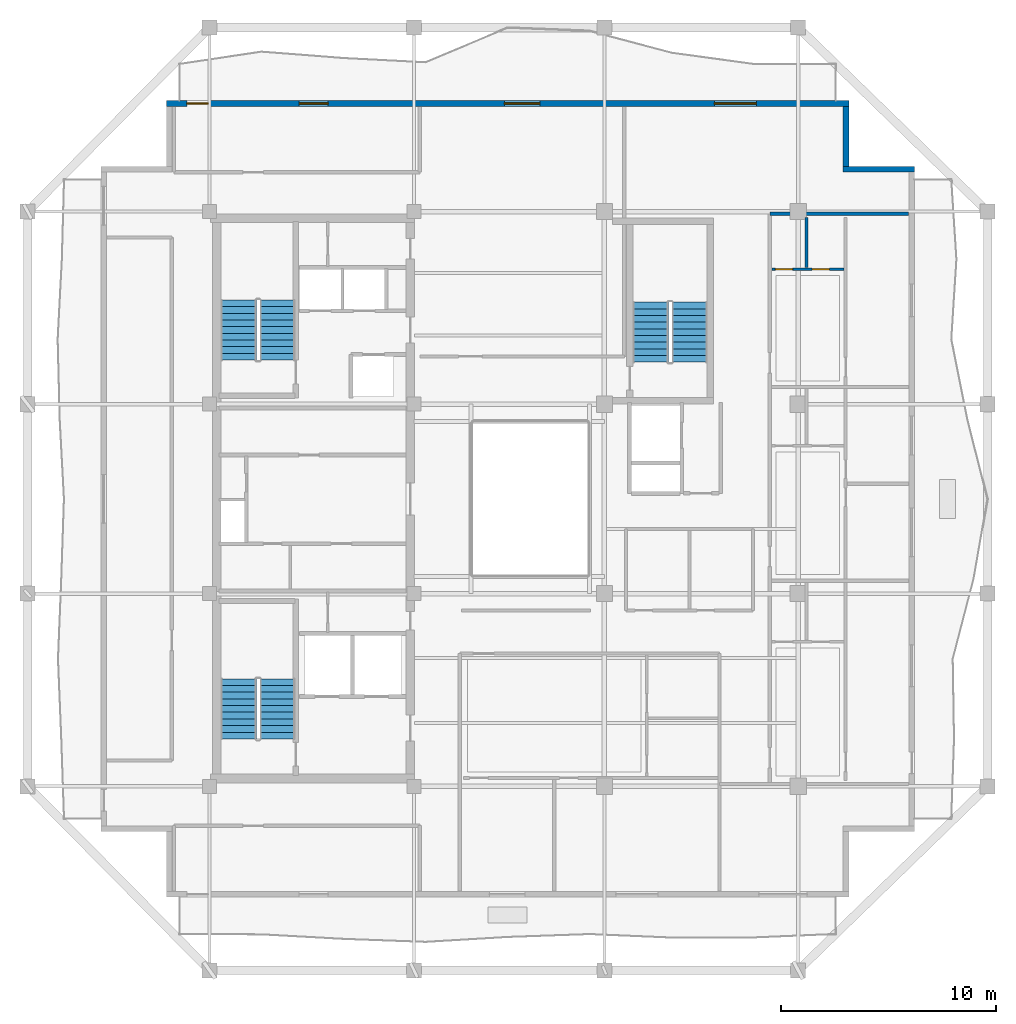
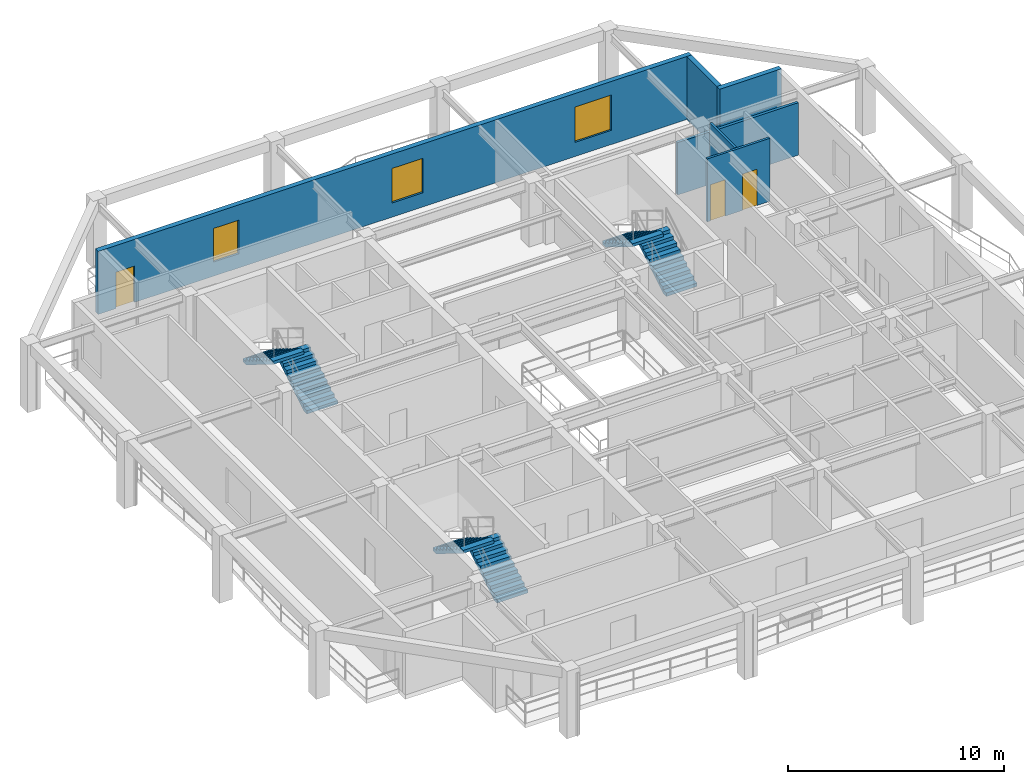
# One storey, part 6 of 10: 6 stair flights, 6 walls, 3 doors, 3 windows, 6 openings, 3 elements without a shape of their own.
"""IFC4 building model written with IfcOpenShell, lengths in metres."""

from ifc_helpers import new_model, si_unit, direction, frame, frame_2d, origin, place, context, subcontext, project, spatial, polyline, rectangle, outline, extrude, material, layer, layer_set, type_object, element, fill, aggregate, save


model = new_model("IFC4")

# Units and contexts
model_context = context("Model", 3, precision=1e-05, world=origin(), true_north=direction((0.0, 1.0)))
body_context = subcontext(model_context, "Body", "Model", "MODEL_VIEW")
ifc_project = project(units=[si_unit("LENGTHUNIT", "METRE"), si_unit("AREAUNIT", "SQUARE_METRE"), si_unit("VOLUMEUNIT", "CUBIC_METRE"), si_unit("PLANEANGLEUNIT", "RADIAN"), si_unit("MASSUNIT", "GRAM", prefix="KILO")], contexts=[model_context])

# Site, building, storey
site_placement = place(None, origin())
site = spatial("IfcSite", under=ifc_project, at=site_placement, CompositionType="ELEMENT")
building_placement = place(site_placement, origin())
building = spatial("IfcBuilding", under=site, at=building_placement, Name="Kundavana Baori Tower", CompositionType="ELEMENT")
storey_placement = place(building_placement, frame((0.0, 0.0, 312.5)))
storey = spatial("IfcBuildingStorey", under=building, at=storey_placement, Name="L77", CompositionType="ELEMENT", Elevation=312.5)

# Walls
ifc_material_1 = material(Name="Kiln-Fired Terracotta Brick-Slip Masonry on Concrete C40/50", Category="masonry")
ifc_layer_1 = layer(ifc_material_1, 0.260009765625, Name="WL-EXT-BRK-260")
ifc_layer_set_1 = layer_set([ifc_layer_1], Name="Kiln-Fired Terracotta Brick-Slip Masonry on Concrete C40/50")
wall_type_1 = type_object("IfcWallType", Name="WL-EXT-BRK-260", PredefinedType="SOLIDWALL", material=ifc_layer_set_1)
wall_1_placement = place(storey_placement, frame((48.199951171875, 43.919921875, 0.0), z_axis=(0.0, 0.0, 1.0), x_axis=(-1.0, 0.0, 0.0)))
element("IfcWall", 1, at=wall_1_placement, inside=storey, type_object=wall_type_1, Name="L77 Exterior Insulated Facade Wall 05", PredefinedType="SOLIDWALL", context=body_context, shape_type="SweptSolid", body=[
    extrude(rectangle(XDim=3.31005859375, YDim=0.260009765625, at=frame_2d((1.655029296875, 0.0))), origin(), (0.0, 0.0, 1.0), 3.56005859375),
])
wall_2_placement = place(storey_placement, frame((45.02001953125, 44.050048828125, 0.0), z_axis=(0.0, 0.0, 1.0), x_axis=(0.0, 1.0, 0.0)))
element("IfcWall", 2, at=wall_2_placement, inside=storey, type_object=wall_type_1, Name="L77 Exterior Insulated Facade Wall 06", PredefinedType="SOLIDWALL", context=body_context, shape_type="SweptSolid", body=[
    extrude(rectangle(XDim=2.7900390625, YDim=0.260009765625, at=frame_2d((1.39501953125, 0.0))), origin(), (0.0, 0.0, 1.0), 3.56005859375),
])

# Wall, openings, door, windows
wall_3_placement = place(storey_placement, frame((45.14990234375, 46.969970703125, 0.0), z_axis=(0.0, 0.0, 1.0), x_axis=(-1.0, 0.0, 0.0)))
wall_3 = element("IfcWall", 3, at=wall_3_placement, inside=storey, type_object=wall_type_1, Name="L77 Exterior Insulated Facade Wall 07", PredefinedType="SOLIDWALL", context=body_context, shape_type="SweptSolid", body=[
    extrude(rectangle(XDim=31.699951171875, YDim=0.260009765625, at=frame_2d((15.85009765625, 0.0))), origin(), (0.0, 0.0, 1.0), 3.56005859375),
])
opening_1_placement = place(wall_3_placement, frame((29.75, 0.0, 0.0)))
opening_1 = element("IfcOpeningElement", 4, at=opening_1_placement, cuts=wall_3, Name="Opening BD-1", PredefinedType="OPENING", context=body_context, shape_type="SweptSolid", body=[
    extrude(rectangle(XDim=1.0, YDim=2.050048828125, at=frame_2d((0.5, 1.02490234375))), frame((0.0, 0.14013671875, 0.0), z_axis=(0.0, -1.0, 0.0), x_axis=(1.0, 0.0, 0.0)), (0.0, 0.0, 1.0), 0.280029296875),
])
opening_2_placement = place(wall_3_placement, frame((24.18994140625, 0.0, 0.800048828125)))
opening_2 = element("IfcOpeningElement", 5, at=opening_2_placement, cuts=wall_3, Name="Opening W-07", PredefinedType="OPENING", context=body_context, shape_type="SweptSolid", body=[
    extrude(rectangle(XDim=1.35009765625, YDim=1.89990234375, at=frame_2d((0.675048828125, 0.949951171875))), frame((0.0, 0.14013671875, 0.0), z_axis=(0.0, -1.0, 0.0), x_axis=(1.0, 0.0, 0.0)), (0.0, 0.0, 1.0), 0.280029296875),
])
opening_3_placement = place(wall_3_placement, frame((14.35498046875, 0.0, 0.800048828125)))
opening_3 = element("IfcOpeningElement", 6, at=opening_3_placement, cuts=wall_3, Name="Opening W-08", PredefinedType="OPENING", context=body_context, shape_type="SweptSolid", body=[
    extrude(rectangle(XDim=1.64990234375, YDim=1.949951171875, at=frame_2d((0.824951171875, 0.97509765625))), frame((0.0, 0.14013671875, 0.0), z_axis=(0.0, -1.0, 0.0), x_axis=(1.0, 0.0, 0.0)), (0.0, 0.0, 1.0), 0.280029296875),
])
opening_4_placement = place(wall_3_placement, frame((4.294921875, 0.0, 0.800048828125)))
opening_4 = element("IfcOpeningElement", 7, at=opening_4_placement, cuts=wall_3, Name="Opening W-09", PredefinedType="OPENING", context=body_context, shape_type="SweptSolid", body=[
    extrude(rectangle(XDim=1.949951171875, YDim=2.0, at=frame_2d((0.97509765625, 1.0))), frame((0.0, 0.14013671875, 0.0), z_axis=(0.0, -1.0, 0.0), x_axis=(1.0, 0.0, 0.0)), (0.0, 0.0, 1.0), 0.280029296875),
])
ifc_material_2 = material(Name="Architectural Patinated Bronze Metalwork")
door_type_1 = type_object("IfcDoorType", Name="DR-EXT-LOG-1000", OperationType="NOTDEFINED", PredefinedType="DOOR", material=ifc_material_2)
door_1_placement = place(opening_1_placement, frame((1.0, 0.0, 0.0), z_axis=(0.0, 0.0, 1.0), x_axis=(-1.0, 0.0, 0.0)))
door_1 = element("IfcDoor", 8, at=door_1_placement, inside=storey, type_object=door_type_1, Name="L77 Loggia Balcony Access Door N", OperationType="SINGLE_SWING_LEFT", OverallHeight=2.050048828125, OverallWidth=1.0, PredefinedType="DOOR", context=body_context, shape_type="SweptSolid", body=[
    extrude(rectangle(XDim=1.0, YDim=2.050048828125, at=frame_2d((0.5, 1.02490234375))), frame((0.0, 0.02490234375, 0.0), z_axis=(0.0, -1.0, 0.0), x_axis=(1.0, 0.0, 0.0)), (0.0, 0.0, 1.0), 0.050048828125),
])
fill(opening_1, door_1)
ifc_material_3 = material(Name="Double-Glazed Solar-Control Low-E Insulated Glass", Category="glass")
window_type_1 = type_object("IfcWindowType", Name="WIN-LOG-1350x1900", PartitioningType="SINGLE_PANEL", PredefinedType="WINDOW", material=ifc_material_3)
window_1_placement = place(opening_2_placement, origin())
window_1 = element("IfcWindow", 9, at=window_1_placement, inside=storey, type_object=window_type_1, Name="L77 Recessed Loggia Window N-1", OverallHeight=1.89990234375, OverallWidth=1.35009765625, PartitioningType="SINGLE_PANEL", PredefinedType="WINDOW", context=body_context, shape_type="SweptSolid", body=[
    extrude(rectangle(XDim=1.35009765625, YDim=1.89990234375, at=frame_2d((0.675048828125, 0.949951171875))), frame((0.0, 0.030029296875, 0.0), z_axis=(0.0, -1.0, 0.0), x_axis=(1.0, 0.0, 0.0)), (0.0, 0.0, 1.0), 0.06005859375),
])
fill(opening_2, window_1)
ifc_material_4 = material(Name="Double-Glazed Solar-Control Low-E Insulated Glass", Category="glass")
window_type_2 = type_object("IfcWindowType", Name="WIN-LOG-1650x1950", PartitioningType="SINGLE_PANEL", PredefinedType="WINDOW", material=ifc_material_4)
window_2_placement = place(opening_3_placement, origin())
window_2 = element("IfcWindow", 10, at=window_2_placement, inside=storey, type_object=window_type_2, Name="L77 Recessed Loggia Window N-2", OverallHeight=1.949951171875, OverallWidth=1.64990234375, PartitioningType="SINGLE_PANEL", PredefinedType="WINDOW", context=body_context, shape_type="SweptSolid", body=[
    extrude(rectangle(XDim=1.64990234375, YDim=1.949951171875, at=frame_2d((0.824951171875, 0.97509765625))), frame((0.0, 0.030029296875, 0.0), z_axis=(0.0, -1.0, 0.0), x_axis=(1.0, 0.0, 0.0)), (0.0, 0.0, 1.0), 0.06005859375),
])
fill(opening_3, window_2)
ifc_material_5 = material(Name="Double-Glazed Solar-Control Low-E Insulated Glass", Category="glass")
window_type_3 = type_object("IfcWindowType", Name="WIN-LOG-1950x2000", PartitioningType="SINGLE_PANEL", PredefinedType="WINDOW", material=ifc_material_5)
window_3_placement = place(opening_4_placement, origin())
window_3 = element("IfcWindow", 11, at=window_3_placement, inside=storey, type_object=window_type_3, Name="L77 Recessed Loggia Window N-3", OverallHeight=2.0, OverallWidth=1.949951171875, PartitioningType="SINGLE_PANEL", PredefinedType="WINDOW", context=body_context, shape_type="SweptSolid", body=[
    extrude(rectangle(XDim=1.949951171875, YDim=2.0, at=frame_2d((0.97509765625, 1.0))), frame((0.0, 0.030029296875, 0.0), z_axis=(0.0, -1.0, 0.0), x_axis=(1.0, 0.0, 0.0)), (0.0, 0.0, 1.0), 0.06005859375),
])
fill(opening_4, window_3)

# Wall
ifc_material_6 = material(Name="Fire-Rated Gypsum Drywall on Galvanised Steel Studs", Category="steel")
ifc_layer_2 = layer(ifc_material_6, 0.14990234375, Name="WL-PART-150")
ifc_layer_set_2 = layer_set([ifc_layer_2], Name="Fire-Rated Gypsum Drywall on Galvanised Steel Studs")
wall_type_2 = type_object("IfcWallType", Name="WL-PART-150", PredefinedType="PARTITIONING", material=ifc_layer_set_2)
wall_4_placement = place(storey_placement, frame((41.47998046875, 41.85009765625, 0.0), z_axis=(0.0, 0.0, 1.0), x_axis=(1.0, 0.0, 0.0)))
element("IfcWall", 12, at=wall_4_placement, inside=storey, type_object=wall_type_2, Name="WL-L77-REN", PredefinedType="PARTITIONING", context=body_context, shape_type="SweptSolid", body=[
    extrude(rectangle(XDim=6.43994140625, YDim=0.14990234375, at=frame_2d((3.219970703125, 0.0))), origin(), (0.0, 0.0, 1.0), 2.9599609375),
])

# Wall, openings, doors
ifc_material_7 = material(Name="Autoclaved Aerated Concrete Blockwork Masonry", Category="masonry")
ifc_layer_3 = layer(ifc_material_7, 0.125, Name="WL-WET-120")
ifc_layer_set_3 = layer_set([ifc_layer_3], Name="Autoclaved Aerated Concrete Blockwork Masonry")
wall_type_3 = type_object("IfcWallType", Name="WL-WET-120", PredefinedType="PLUMBINGWALL", material=ifc_layer_set_3)
wall_5_placement = place(storey_placement, frame((41.580078125, 39.27001953125, 0.0), z_axis=(0.0, 0.0, 1.0), x_axis=(1.0, 0.0, 0.0)))
wall_5 = element("IfcWall", 13, at=wall_5_placement, inside=storey, type_object=wall_type_3, Name="WL-L77-E3-KH", PredefinedType="PLUMBINGWALL", context=body_context, shape_type="SweptSolid", body=[
    extrude(rectangle(XDim=3.343994140625, YDim=0.125, at=frame_2d((1.671875, 0.0))), origin(), (0.0, 0.0, 1.0), 3.56005859375),
])
opening_5_placement = place(wall_5_placement, frame((0.159912109375, 0.0, 0.0)))
opening_5 = element("IfcOpeningElement", 14, at=opening_5_placement, cuts=wall_5, Name="Opening WD-080", PredefinedType="OPENING", context=body_context, shape_type="SweptSolid", body=[
    extrude(rectangle(XDim=0.800048828125, YDim=2.050048828125, at=frame_2d((0.39990234375, 1.02490234375))), frame((0.0, 0.072509765625, 0.0), z_axis=(0.0, -1.0, 0.0), x_axis=(1.0, 0.0, 0.0)), (0.0, 0.0, 1.0), 0.14501953125),
])
opening_6_placement = place(wall_5_placement, frame((1.864990234375, 0.0, 0.0)))
opening_6 = element("IfcOpeningElement", 15, at=opening_6_placement, cuts=wall_5, Name="Opening WD-080", PredefinedType="OPENING", context=body_context, shape_type="SweptSolid", body=[
    extrude(rectangle(XDim=0.800048828125, YDim=2.050048828125, at=frame_2d((0.39990234375, 1.02490234375))), frame((0.0, 0.072509765625, 0.0), z_axis=(0.0, -1.0, 0.0), x_axis=(1.0, 0.0, 0.0)), (0.0, 0.0, 1.0), 0.14501953125),
])
ifc_material_8 = material(Name="Engineered Teak Solid-Core Timber Veneer", Category="wood")
door_type_2 = type_object("IfcDoorType", Name="DR-WET-800", OperationType="NOTDEFINED", PredefinedType="DOOR", material=ifc_material_8)
door_2_placement = place(opening_5_placement, origin())
door_2 = element("IfcDoor", 16, at=door_2_placement, inside=storey, type_object=door_type_2, Name="DR-L77-E3-BT", OperationType="SINGLE_SWING_LEFT", OverallHeight=2.050048828125, OverallWidth=0.800048828125, PredefinedType="DOOR", context=body_context, shape_type="SweptSolid", body=[
    extrude(rectangle(XDim=0.800048828125, YDim=2.050048828125, at=frame_2d((0.39990234375, 1.02490234375))), frame((0.0, 0.02490234375, 0.0), z_axis=(0.0, -1.0, 0.0), x_axis=(1.0, 0.0, 0.0)), (0.0, 0.0, 1.0), 0.050048828125),
])
fill(opening_5, door_2)
door_3_placement = place(opening_6_placement, origin())
door_3 = element("IfcDoor", 17, at=door_3_placement, inside=storey, type_object=door_type_2, Name="DR-L77-E3-KT", OperationType="SINGLE_SWING_RIGHT", OverallHeight=2.050048828125, OverallWidth=0.800048828125, PredefinedType="DOOR", context=body_context, shape_type="SweptSolid", body=[
    extrude(rectangle(XDim=0.800048828125, YDim=2.050048828125, at=frame_2d((0.39990234375, 1.02490234375))), frame((0.0, 0.02490234375, 0.0), z_axis=(0.0, -1.0, 0.0), x_axis=(1.0, 0.0, 0.0)), (0.0, 0.0, 1.0), 0.050048828125),
])
fill(opening_6, door_3)

# Wall
wall_6_placement = place(storey_placement, frame((43.18505859375, 39.35009765625, 0.0), z_axis=(0.0, 0.0, 1.0), x_axis=(0.0, 1.0, 0.0)))
element("IfcWall", 18, at=wall_6_placement, inside=storey, type_object=wall_type_3, Name="WL-L77-E3-BV", PredefinedType="PLUMBINGWALL", context=body_context, shape_type="SweptSolid", body=[
    extrude(rectangle(XDim=2.31982421875, YDim=0.125, at=frame_2d((1.159912109375, 0.0))), origin(), (0.0, 0.0, 1.0), 3.56005859375),
])

# Stair, stair flights
ifc_material_9 = material(Name="Concrete C40/50", Category="concrete")
stair_type = type_object("IfcStairType", Name="STR-DOG-1650", PredefinedType="HALF_TURN_STAIR", material=ifc_material_9)
stair_1_placement = place(storey_placement, origin())
stair_1 = element("IfcStair", 19, at=stair_1_placement, inside=storey, type_object=stair_type, Name="L77 Protected Exit Stair ST1", PredefinedType="HALF_TURN_STAIR")
ifc_material_10 = material(Name="Concrete C40/50", Category="concrete")
stair_flight_type = type_object("IfcStairFlightType", Name="SFL-RC-1650", PredefinedType="STRAIGHT", material=ifc_material_10)
stair_flight_1_placement = place(storey_placement, frame((18.614990234375, 17.449951171875, 0.0), z_axis=(0.0, 0.0, 1.0), x_axis=(0.0, 1.0, 0.0)))
stair_flight_1 = element("IfcStairFlight", 20, at=stair_flight_1_placement, type_object=stair_flight_type, Name="ST1 flight 1", NumberOfRisers=10, NumberOfTreads=9, PredefinedType="STRAIGHT", RiserHeight=0.19, TreadLength=0.31, context=body_context, shape_type="SweptSolid", body=[
    extrude(outline(polyline([(0.0, 0.0), (0.0, 0.18994140625), (0.31005859375, 0.18994140625), (0.31005859375, 0.3798828125), (0.6201171875, 0.3798828125), (0.6201171875, 0.570068359375), (0.929931640625, 0.570068359375), (0.929931640625, 0.760009765625), (1.239990234375, 0.760009765625), (1.239990234375, 0.949951171875), (1.550048828125, 0.949951171875), (1.550048828125, 1.139892578125), (1.860107421875, 1.139892578125), (1.860107421875, 1.330078125), (2.169921875, 1.330078125), (2.169921875, 1.52001953125), (2.47998046875, 1.52001953125), (2.47998046875, 1.7099609375), (2.7900390625, 1.7099609375), (2.7900390625, 1.89990234375), (2.7900390625, 1.5341796875), (0.286865234375, 0.0), (0.0, 0.0)])), frame((0.0, 0.824951171875, 0.0), z_axis=(0.0, -1.0, 0.0), x_axis=(1.0, 0.0, 0.0)), (0.0, 0.0, 1.0), 1.64990234375),
])
stair_flight_2_placement = place(storey_placement, frame((16.804931640625, 20.239990234375, 1.89990234375), z_axis=(0.0, 0.0, 1.0), x_axis=(0.0, -1.0, 0.0)))
stair_flight_2 = element("IfcStairFlight", 21, at=stair_flight_2_placement, type_object=stair_flight_type, Name="ST1 flight 2", NumberOfRisers=10, NumberOfTreads=9, PredefinedType="STRAIGHT", RiserHeight=0.19, TreadLength=0.31, context=body_context, shape_type="SweptSolid", body=[
    extrude(outline(polyline([(0.0, 0.0), (0.0, 0.18994140625), (0.31005859375, 0.18994140625), (0.31005859375, 0.3798828125), (0.6201171875, 0.3798828125), (0.6201171875, 0.570068359375), (0.929931640625, 0.570068359375), (0.929931640625, 0.760009765625), (1.239990234375, 0.760009765625), (1.239990234375, 0.949951171875), (1.550048828125, 0.949951171875), (1.550048828125, 1.139892578125), (1.860107421875, 1.139892578125), (1.860107421875, 1.330078125), (2.169921875, 1.330078125), (2.169921875, 1.52001953125), (2.47998046875, 1.52001953125), (2.47998046875, 1.7099609375), (2.7900390625, 1.7099609375), (2.7900390625, 1.89990234375), (2.7900390625, 1.5341796875), (0.286865234375, 0.0), (0.0, 0.0)])), frame((0.0, 0.824951171875, 0.0), z_axis=(0.0, -1.0, 0.0), x_axis=(1.0, 0.0, 0.0)), (0.0, 0.0, 1.0), 1.64990234375),
])
aggregate(stair_1, [stair_flight_1, stair_flight_2])

stair_2_placement = place(storey_placement, origin())
stair_2 = element("IfcStair", 22, at=stair_2_placement, inside=storey, type_object=stair_type, Name="L77 Protected Exit Stair ST2", PredefinedType="HALF_TURN_STAIR")
stair_flight_3_placement = place(storey_placement, frame((18.614990234375, 35.050048828125, 0.0), z_axis=(0.0, 0.0, 1.0), x_axis=(0.0, 1.0, 0.0)))
stair_flight_3 = element("IfcStairFlight", 23, at=stair_flight_3_placement, type_object=stair_flight_type, Name="ST2 flight 1", NumberOfRisers=10, NumberOfTreads=9, PredefinedType="STRAIGHT", RiserHeight=0.19, TreadLength=0.31, context=body_context, shape_type="SweptSolid", body=[
    extrude(outline(polyline([(0.0, 0.0), (0.0, 0.18994140625), (0.31005859375, 0.18994140625), (0.31005859375, 0.3798828125), (0.6201171875, 0.3798828125), (0.6201171875, 0.570068359375), (0.929931640625, 0.570068359375), (0.929931640625, 0.760009765625), (1.239990234375, 0.760009765625), (1.239990234375, 0.949951171875), (1.550048828125, 0.949951171875), (1.550048828125, 1.139892578125), (1.860107421875, 1.139892578125), (1.860107421875, 1.330078125), (2.169921875, 1.330078125), (2.169921875, 1.52001953125), (2.47998046875, 1.52001953125), (2.47998046875, 1.7099609375), (2.7900390625, 1.7099609375), (2.7900390625, 1.89990234375), (2.7900390625, 1.5341796875), (0.286865234375, 0.0), (0.0, 0.0)])), frame((0.0, 0.824951171875, 0.0), z_axis=(0.0, -1.0, 0.0), x_axis=(1.0, 0.0, 0.0)), (0.0, 0.0, 1.0), 1.64990234375),
])
stair_flight_4_placement = place(storey_placement, frame((16.804931640625, 37.840087890625, 1.89990234375), z_axis=(0.0, 0.0, 1.0), x_axis=(0.0, -1.0, 0.0)))
stair_flight_4 = element("IfcStairFlight", 24, at=stair_flight_4_placement, type_object=stair_flight_type, Name="ST2 flight 2", NumberOfRisers=10, NumberOfTreads=9, PredefinedType="STRAIGHT", RiserHeight=0.19, TreadLength=0.31, context=body_context, shape_type="SweptSolid", body=[
    extrude(outline(polyline([(0.0, 0.0), (0.0, 0.18994140625), (0.31005859375, 0.18994140625), (0.31005859375, 0.3798828125), (0.6201171875, 0.3798828125), (0.6201171875, 0.570068359375), (0.929931640625, 0.570068359375), (0.929931640625, 0.760009765625), (1.239990234375, 0.760009765625), (1.239990234375, 0.949951171875), (1.550048828125, 0.949951171875), (1.550048828125, 1.139892578125), (1.860107421875, 1.139892578125), (1.860107421875, 1.330078125), (2.169921875, 1.330078125), (2.169921875, 1.52001953125), (2.47998046875, 1.52001953125), (2.47998046875, 1.7099609375), (2.7900390625, 1.7099609375), (2.7900390625, 1.89990234375), (2.7900390625, 1.5341796875), (0.286865234375, 0.0), (0.0, 0.0)])), frame((0.0, 0.824951171875, 0.0), z_axis=(0.0, -1.0, 0.0), x_axis=(1.0, 0.0, 0.0)), (0.0, 0.0, 1.0), 1.64990234375),
])
aggregate(stair_2, [stair_flight_3, stair_flight_4])

stair_3_placement = place(storey_placement, origin())
stair_3 = element("IfcStair", 25, at=stair_3_placement, inside=storey, type_object=stair_type, Name="L77 Protected Exit Stair ST3", PredefinedType="HALF_TURN_STAIR")
stair_flight_5_placement = place(storey_placement, frame((37.7548828125, 34.949951171875, 0.0), z_axis=(0.0, 0.0, 1.0), x_axis=(0.0, 1.0, 0.0)))
stair_flight_5 = element("IfcStairFlight", 26, at=stair_flight_5_placement, type_object=stair_flight_type, Name="ST3 flight 1", NumberOfRisers=10, NumberOfTreads=9, PredefinedType="STRAIGHT", RiserHeight=0.19, TreadLength=0.31, context=body_context, shape_type="SweptSolid", body=[
    extrude(outline(polyline([(0.0, 0.0), (0.0, 0.18994140625), (0.31005859375, 0.18994140625), (0.31005859375, 0.3798828125), (0.6201171875, 0.3798828125), (0.6201171875, 0.570068359375), (0.929931640625, 0.570068359375), (0.929931640625, 0.760009765625), (1.239990234375, 0.760009765625), (1.239990234375, 0.949951171875), (1.550048828125, 0.949951171875), (1.550048828125, 1.139892578125), (1.860107421875, 1.139892578125), (1.860107421875, 1.330078125), (2.169921875, 1.330078125), (2.169921875, 1.52001953125), (2.47998046875, 1.52001953125), (2.47998046875, 1.7099609375), (2.7900390625, 1.7099609375), (2.7900390625, 1.89990234375), (2.7900390625, 1.5341796875), (0.286865234375, 0.0), (0.0, 0.0)])), frame((0.0, 0.824951171875, 0.0), z_axis=(0.0, -1.0, 0.0), x_axis=(1.0, 0.0, 0.0)), (0.0, 0.0, 1.0), 1.64990234375),
])
stair_flight_6_placement = place(storey_placement, frame((35.945068359375, 37.739990234375, 1.89990234375), z_axis=(0.0, 0.0, 1.0), x_axis=(0.0, -1.0, 0.0)))
stair_flight_6 = element("IfcStairFlight", 27, at=stair_flight_6_placement, type_object=stair_flight_type, Name="ST3 flight 2", NumberOfRisers=10, NumberOfTreads=9, PredefinedType="STRAIGHT", RiserHeight=0.19, TreadLength=0.31, context=body_context, shape_type="SweptSolid", body=[
    extrude(outline(polyline([(0.0, 0.0), (0.0, 0.18994140625), (0.31005859375, 0.18994140625), (0.31005859375, 0.3798828125), (0.6201171875, 0.3798828125), (0.6201171875, 0.570068359375), (0.929931640625, 0.570068359375), (0.929931640625, 0.760009765625), (1.239990234375, 0.760009765625), (1.239990234375, 0.949951171875), (1.550048828125, 0.949951171875), (1.550048828125, 1.139892578125), (1.860107421875, 1.139892578125), (1.860107421875, 1.330078125), (2.169921875, 1.330078125), (2.169921875, 1.52001953125), (2.47998046875, 1.52001953125), (2.47998046875, 1.7099609375), (2.7900390625, 1.7099609375), (2.7900390625, 1.89990234375), (2.7900390625, 1.5341796875), (0.286865234375, 0.0), (0.0, 0.0)])), frame((0.0, 0.824951171875, 0.0), z_axis=(0.0, -1.0, 0.0), x_axis=(1.0, 0.0, 0.0)), (0.0, 0.0, 1.0), 1.64990234375),
])
aggregate(stair_3, [stair_flight_5, stair_flight_6])

save(model, "model.ifc")
